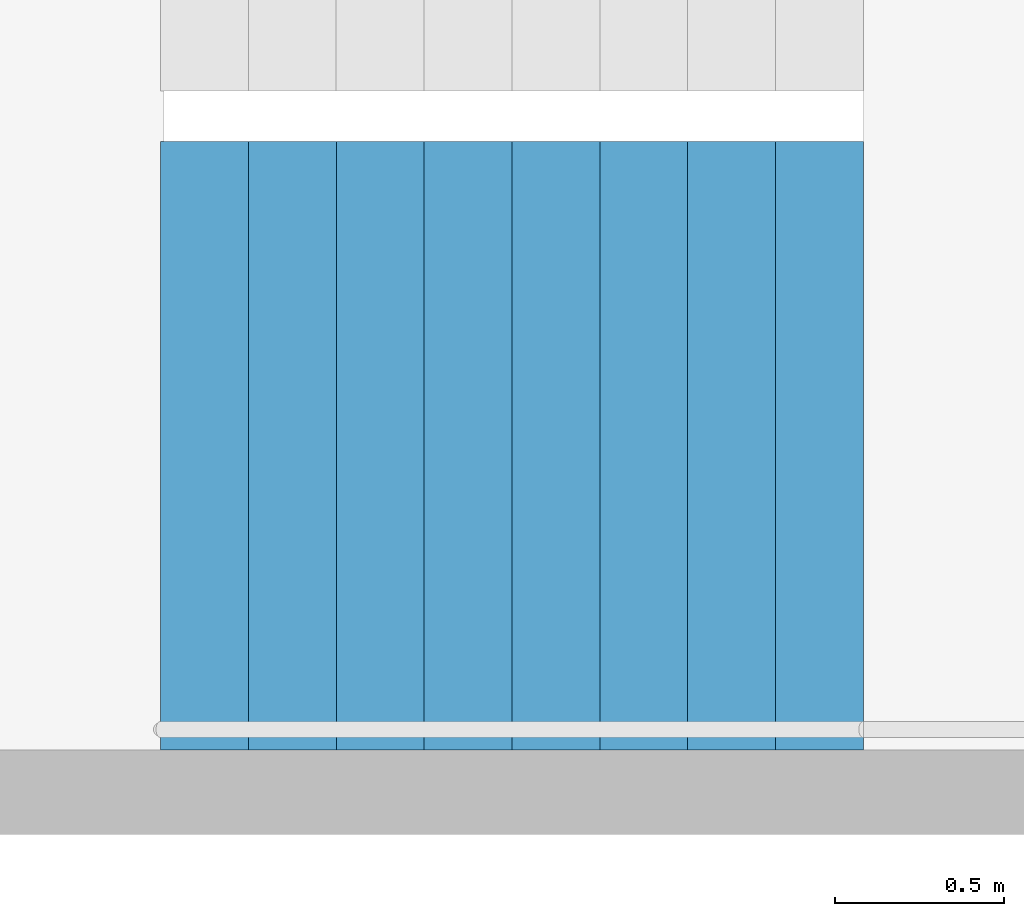
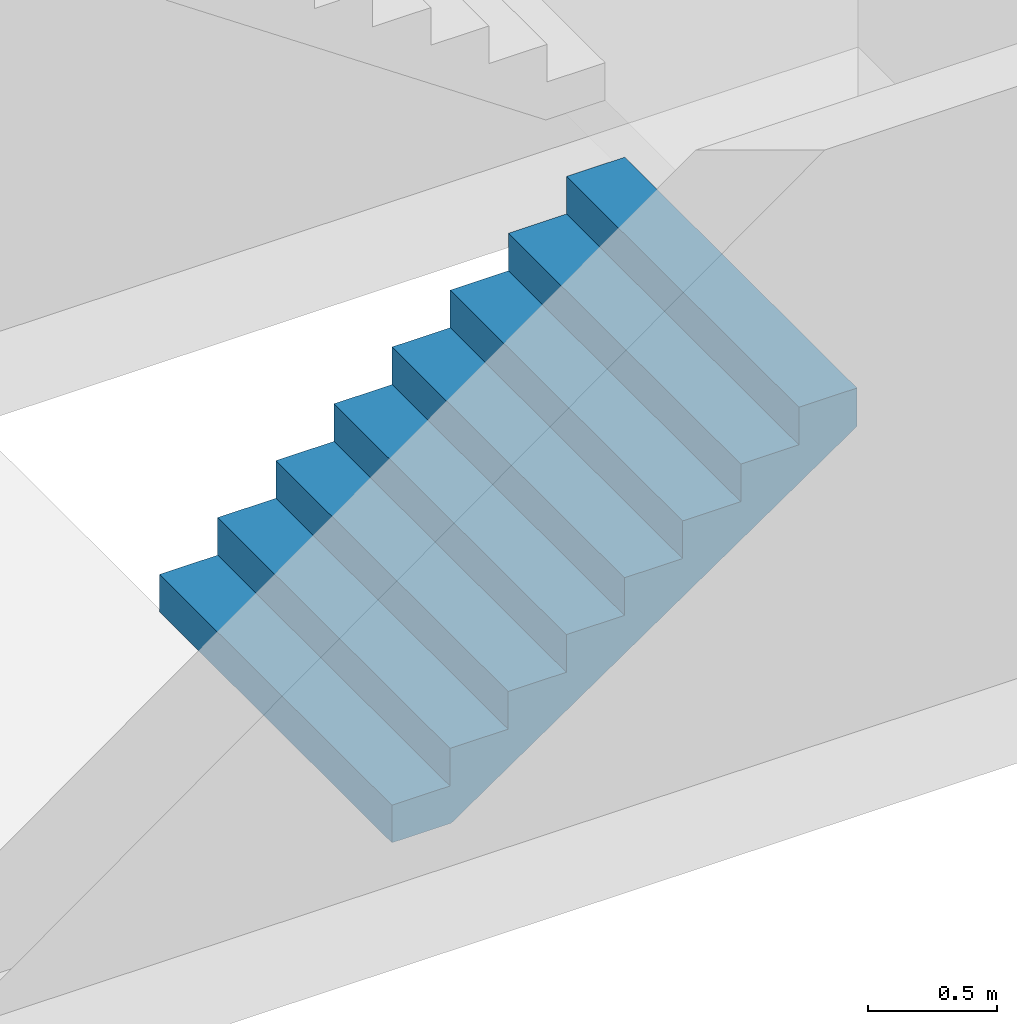
# One storey, part 22 of 34: 1 stair flight, 1 element without a shape of its own.
"""IFC4 building model written with IfcOpenShell, lengths in metres."""

from ifc_helpers import new_model, si_unit, direction, frame, origin, place, context, subcontext, project, spatial, triangles, material, type_object, element, aggregate, save


model = new_model("IFC4")

# Units and contexts
model_context = context("Model", 3, precision=1e-05, world=origin(), true_north=direction((0.0, 1.0)))
body_context = subcontext(model_context, "Body", "Model", "MODEL_VIEW")
ifc_project = project(units=[si_unit("LENGTHUNIT", "METRE"), si_unit("AREAUNIT", "SQUARE_METRE"), si_unit("VOLUMEUNIT", "CUBIC_METRE"), si_unit("PLANEANGLEUNIT", "RADIAN"), si_unit("MASSUNIT", "GRAM", prefix="KILO")], contexts=[model_context])

# Site, building, storey
site_placement = place(None, origin())
site = spatial("IfcSite", under=ifc_project, at=site_placement, CompositionType="ELEMENT")
building_placement = place(site_placement, origin())
building = spatial("IfcBuilding", under=site, at=building_placement, Name="Hakoniwa Tower and Hamabe Station Hall", CompositionType="ELEMENT")
storey_placement = place(building_placement, frame((0.0, 0.0, 94.60009765625)))
storey = spatial("IfcBuildingStorey", under=building, at=storey_placement, Name="L26", CompositionType="ELEMENT", Elevation=94.60009765625)

# Stair, stair flight
ifc_material_1 = material(Name="Concrete C40", Category="concrete")
stair_type = type_object("IfcStairType", Name="ESCAPE STAIR 1800", PredefinedType="HALF_TURN_STAIR", material=ifc_material_1)
stair_placement = place(storey_placement, origin())
stair = element("IfcStair", 1, at=stair_placement, inside=storey, type_object=stair_type, Name="Escape stair ST-1 L26", PredefinedType="HALF_TURN_STAIR")
ifc_material_2 = material(Name="Concrete C40", Category="concrete")
stair_flight_type = type_object("IfcStairFlightType", Name="STAIR FLIGHT 1800", PredefinedType="STRAIGHT", material=ifc_material_2)
stair_flight_placement = place(storey_placement, frame((-24.39990234375, 4.64990234375, 0.0), z_axis=(0.0, 0.0, 1.0), x_axis=(1.0, 0.0, 0.0)))
stair_flight = element("IfcStairFlight", 2, at=stair_flight_placement, type_object=stair_flight_type, Name="ST-1 flight 1", NumberOfRisers=9, NumberOfTreads=8, PredefinedType="STRAIGHT", RiserHeight=0.177777778, TreadLength=0.26, context=body_context, shape_type="Tessellation", body=[
    triangles([(0.0, 0.89990234375, 0.0), (0.260009765625, 0.89990234375, 0.0), (0.265625, 0.89990234375, 0.0), (0.52001953125, 0.89990234375, 0.174072265625), (0.780029296875, 0.89990234375, 0.351806640625), (1.0400390625, 0.89990234375, 0.529541015625), (1.300048828125, 0.89990234375, 0.707275390625), (1.56005859375, 0.89990234375, 0.885009765625), (1.820068359375, 0.89990234375, 1.062744140625), (2.080078125, 0.89990234375, 1.24072265625), (2.080078125, 0.89990234375, 1.422119140625), (1.820068359375, 0.89990234375, 1.422119140625), (1.820068359375, 0.89990234375, 1.244384765625), (1.56005859375, 0.89990234375, 1.244384765625), (1.56005859375, 0.89990234375, 1.066650390625), (1.300048828125, 0.89990234375, 1.066650390625), (1.300048828125, 0.89990234375, 0.888916015625), (1.0400390625, 0.89990234375, 0.888916015625), (1.0400390625, 0.89990234375, 0.711181640625), (0.780029296875, 0.89990234375, 0.711181640625), (0.780029296875, 0.89990234375, 0.533447265625), (0.52001953125, 0.89990234375, 0.533447265625), (0.52001953125, 0.89990234375, 0.35546875), (0.265625, 0.89990234375, 0.35546875), (0.260009765625, 0.89990234375, 0.35546875), (0.260009765625, 0.89990234375, 0.177734375), (0.0, 0.89990234375, 0.177734375), (0.0, 0.06005859375, 0.0), (0.260009765625, 0.06005859375, 0.0), (0.265625, 0.06005859375, 0.0), (0.52001953125, 0.06005859375, 0.174072265625), (0.780029296875, 0.06005859375, 0.351806640625), (1.0400390625, 0.06005859375, 0.529541015625), (1.300048828125, 0.06005859375, 0.707275390625), (1.56005859375, 0.06005859375, 0.885009765625), (1.820068359375, 0.06005859375, 1.062744140625), (2.080078125, 0.06005859375, 1.24072265625), (2.080078125, 0.06005859375, 1.422119140625), (1.820068359375, 0.06005859375, 1.422119140625), (1.820068359375, 0.06005859375, 1.244384765625), (1.56005859375, 0.06005859375, 1.244384765625), (1.56005859375, 0.06005859375, 1.066650390625), (1.300048828125, 0.06005859375, 1.066650390625), (1.300048828125, 0.06005859375, 0.888916015625), (1.0400390625, 0.06005859375, 0.888916015625), (1.0400390625, 0.06005859375, 0.711181640625), (0.780029296875, 0.06005859375, 0.711181640625), (0.780029296875, 0.06005859375, 0.533447265625), (0.52001953125, 0.06005859375, 0.533447265625), (0.52001953125, 0.06005859375, 0.35546875), (0.265625, 0.06005859375, 0.35546875), (0.260009765625, 0.06005859375, 0.35546875), (0.260009765625, 0.06005859375, 0.177734375), (0.0, 0.06005859375, 0.177734375), (0.0, 0.04296875, 0.0), (0.260009765625, 0.04296875, 0.0), (0.265625, 0.04296875, 0.0), (0.52001953125, 0.04296875, 0.174072265625), (0.780029296875, 0.04296875, 0.351806640625), (1.0400390625, 0.04296875, 0.529541015625), (1.300048828125, 0.04296875, 0.707275390625), (1.56005859375, 0.04296875, 0.885009765625), (1.820068359375, 0.04296875, 1.062744140625), (2.080078125, 0.04296875, 1.24072265625), (2.080078125, 0.04296875, 1.422119140625), (1.820068359375, 0.04296875, 1.422119140625), (1.820068359375, 0.04296875, 1.244384765625), (1.56005859375, 0.04296875, 1.244384765625), (1.56005859375, 0.04296875, 1.066650390625), (1.300048828125, 0.04296875, 1.066650390625), (1.300048828125, 0.04296875, 0.888916015625), (1.0400390625, 0.04296875, 0.888916015625), (1.0400390625, 0.04296875, 0.711181640625), (0.780029296875, 0.04296875, 0.711181640625), (0.780029296875, 0.04296875, 0.533447265625), (0.52001953125, 0.04296875, 0.533447265625), (0.52001953125, 0.04296875, 0.35546875), (0.265625, 0.04296875, 0.35546875), (0.260009765625, 0.04296875, 0.35546875), (0.260009765625, 0.04296875, 0.177734375), (0.0, 0.04296875, 0.177734375), (0.0, 0.025634765625, 0.0), (0.260009765625, 0.025634765625, 0.0), (0.265625, 0.025634765625, 0.0), (0.52001953125, 0.025634765625, 0.174072265625), (0.780029296875, 0.025634765625, 0.351806640625), (1.0400390625, 0.025634765625, 0.529541015625), (1.300048828125, 0.025634765625, 0.707275390625), (1.56005859375, 0.025634765625, 0.885009765625), (1.820068359375, 0.025634765625, 1.062744140625), (2.080078125, 0.025634765625, 1.24072265625), (2.080078125, 0.025634765625, 1.422119140625), (1.820068359375, 0.025634765625, 1.422119140625), (1.820068359375, 0.025634765625, 1.244384765625), (1.56005859375, 0.025634765625, 1.244384765625), (1.56005859375, 0.025634765625, 1.066650390625), (1.300048828125, 0.025634765625, 1.066650390625), (1.300048828125, 0.025634765625, 0.888916015625), (1.0400390625, 0.025634765625, 0.888916015625), (1.0400390625, 0.025634765625, 0.711181640625), (0.780029296875, 0.025634765625, 0.711181640625), (0.780029296875, 0.025634765625, 0.533447265625), (0.52001953125, 0.025634765625, 0.533447265625), (0.52001953125, 0.025634765625, 0.35546875), (0.265625, 0.025634765625, 0.35546875), (0.260009765625, 0.025634765625, 0.35546875), (0.260009765625, 0.025634765625, 0.177734375), (0.0, 0.025634765625, 0.177734375), (0.0, 0.008544921875, 0.0), (0.260009765625, 0.008544921875, 0.0), (0.265625, 0.008544921875, 0.0), (0.52001953125, 0.008544921875, 0.174072265625), (0.780029296875, 0.008544921875, 0.351806640625), (1.0400390625, 0.008544921875, 0.529541015625), (1.300048828125, 0.008544921875, 0.707275390625), (1.56005859375, 0.008544921875, 0.885009765625), (1.820068359375, 0.008544921875, 1.062744140625), (2.080078125, 0.008544921875, 1.24072265625), (2.080078125, 0.008544921875, 1.422119140625), (1.820068359375, 0.008544921875, 1.422119140625), (1.820068359375, 0.008544921875, 1.244384765625), (1.56005859375, 0.008544921875, 1.244384765625), (1.56005859375, 0.008544921875, 1.066650390625), (1.300048828125, 0.008544921875, 1.066650390625), (1.300048828125, 0.008544921875, 0.888916015625), (1.0400390625, 0.008544921875, 0.888916015625), (1.0400390625, 0.008544921875, 0.711181640625), (0.780029296875, 0.008544921875, 0.711181640625), (0.780029296875, 0.008544921875, 0.533447265625), (0.52001953125, 0.008544921875, 0.533447265625), (0.52001953125, 0.008544921875, 0.35546875), (0.265625, 0.008544921875, 0.35546875), (0.260009765625, 0.008544921875, 0.35546875), (0.260009765625, 0.008544921875, 0.177734375), (0.0, 0.008544921875, 0.177734375), (0.0, -0.008544921875, 0.0), (0.260009765625, -0.008544921875, 0.0), (0.265625, -0.008544921875, 0.0), (0.52001953125, -0.008544921875, 0.174072265625), (0.780029296875, -0.008544921875, 0.351806640625), (1.0400390625, -0.008544921875, 0.529541015625), (1.300048828125, -0.008544921875, 0.707275390625), (1.56005859375, -0.008544921875, 0.885009765625), (1.820068359375, -0.008544921875, 1.062744140625), (2.080078125, -0.008544921875, 1.24072265625), (2.080078125, -0.008544921875, 1.422119140625), (1.820068359375, -0.008544921875, 1.422119140625), (1.820068359375, -0.008544921875, 1.244384765625), (1.56005859375, -0.008544921875, 1.244384765625), (1.56005859375, -0.008544921875, 1.066650390625), (1.300048828125, -0.008544921875, 1.066650390625), (1.300048828125, -0.008544921875, 0.888916015625), (1.0400390625, -0.008544921875, 0.888916015625), (1.0400390625, -0.008544921875, 0.711181640625), (0.780029296875, -0.008544921875, 0.711181640625), (0.780029296875, -0.008544921875, 0.533447265625), (0.52001953125, -0.008544921875, 0.533447265625), (0.52001953125, -0.008544921875, 0.35546875), (0.265625, -0.008544921875, 0.35546875), (0.260009765625, -0.008544921875, 0.35546875), (0.260009765625, -0.008544921875, 0.177734375), (0.0, -0.008544921875, 0.177734375), (0.0, -0.025634765625, 0.0), (0.260009765625, -0.025634765625, 0.0), (0.265625, -0.025634765625, 0.0), (0.52001953125, -0.025634765625, 0.174072265625), (0.780029296875, -0.025634765625, 0.351806640625), (1.0400390625, -0.025634765625, 0.529541015625), (1.300048828125, -0.025634765625, 0.707275390625), (1.56005859375, -0.025634765625, 0.885009765625), (1.820068359375, -0.025634765625, 1.062744140625), (2.080078125, -0.025634765625, 1.24072265625), (2.080078125, -0.025634765625, 1.422119140625), (1.820068359375, -0.025634765625, 1.422119140625), (1.820068359375, -0.025634765625, 1.244384765625), (1.56005859375, -0.025634765625, 1.244384765625), (1.56005859375, -0.025634765625, 1.066650390625), (1.300048828125, -0.025634765625, 1.066650390625), (1.300048828125, -0.025634765625, 0.888916015625), (1.0400390625, -0.025634765625, 0.888916015625), (1.0400390625, -0.025634765625, 0.711181640625), (0.780029296875, -0.025634765625, 0.711181640625), (0.780029296875, -0.025634765625, 0.533447265625), (0.52001953125, -0.025634765625, 0.533447265625), (0.52001953125, -0.025634765625, 0.35546875), (0.265625, -0.025634765625, 0.35546875), (0.260009765625, -0.025634765625, 0.35546875), (0.260009765625, -0.025634765625, 0.177734375), (0.0, -0.025634765625, 0.177734375), (0.0, -0.04296875, 0.0), (0.260009765625, -0.04296875, 0.0), (0.265625, -0.04296875, 0.0), (0.52001953125, -0.04296875, 0.174072265625), (0.780029296875, -0.04296875, 0.351806640625), (1.0400390625, -0.04296875, 0.529541015625), (1.300048828125, -0.04296875, 0.707275390625), (1.56005859375, -0.04296875, 0.885009765625), (1.820068359375, -0.04296875, 1.062744140625), (2.080078125, -0.04296875, 1.24072265625), (2.080078125, -0.04296875, 1.422119140625), (1.820068359375, -0.04296875, 1.422119140625), (1.820068359375, -0.04296875, 1.244384765625), (1.56005859375, -0.04296875, 1.244384765625), (1.56005859375, -0.04296875, 1.066650390625), (1.300048828125, -0.04296875, 1.066650390625), (1.300048828125, -0.04296875, 0.888916015625), (1.0400390625, -0.04296875, 0.888916015625), (1.0400390625, -0.04296875, 0.711181640625), (0.780029296875, -0.04296875, 0.711181640625), (0.780029296875, -0.04296875, 0.533447265625), (0.52001953125, -0.04296875, 0.533447265625), (0.52001953125, -0.04296875, 0.35546875), (0.265625, -0.04296875, 0.35546875), (0.260009765625, -0.04296875, 0.35546875), (0.260009765625, -0.04296875, 0.177734375), (0.0, -0.04296875, 0.177734375), (0.0, -0.06005859375, 0.0), (0.260009765625, -0.06005859375, 0.0), (0.265625, -0.06005859375, 0.0), (0.52001953125, -0.06005859375, 0.174072265625), (0.780029296875, -0.06005859375, 0.351806640625), (1.0400390625, -0.06005859375, 0.529541015625), (1.300048828125, -0.06005859375, 0.707275390625), (1.56005859375, -0.06005859375, 0.885009765625), (1.820068359375, -0.06005859375, 1.062744140625), (2.080078125, -0.06005859375, 1.24072265625), (2.080078125, -0.06005859375, 1.422119140625), (1.820068359375, -0.06005859375, 1.422119140625), (1.820068359375, -0.06005859375, 1.244384765625), (1.56005859375, -0.06005859375, 1.244384765625), (1.56005859375, -0.06005859375, 1.066650390625), (1.300048828125, -0.06005859375, 1.066650390625), (1.300048828125, -0.06005859375, 0.888916015625), (1.0400390625, -0.06005859375, 0.888916015625), (1.0400390625, -0.06005859375, 0.711181640625), (0.780029296875, -0.06005859375, 0.711181640625), (0.780029296875, -0.06005859375, 0.533447265625), (0.52001953125, -0.06005859375, 0.533447265625), (0.52001953125, -0.06005859375, 0.35546875), (0.265625, -0.06005859375, 0.35546875), (0.260009765625, -0.06005859375, 0.35546875), (0.260009765625, -0.06005859375, 0.177734375), (0.0, -0.06005859375, 0.177734375), (0.0, -0.89990234375, 0.0), (0.260009765625, -0.89990234375, 0.0), (0.265625, -0.89990234375, 0.0), (0.52001953125, -0.89990234375, 0.174072265625), (0.780029296875, -0.89990234375, 0.351806640625), (1.0400390625, -0.89990234375, 0.529541015625), (1.300048828125, -0.89990234375, 0.707275390625), (1.56005859375, -0.89990234375, 0.885009765625), (1.820068359375, -0.89990234375, 1.062744140625), (2.080078125, -0.89990234375, 1.24072265625), (2.080078125, -0.89990234375, 1.422119140625), (1.820068359375, -0.89990234375, 1.422119140625), (1.820068359375, -0.89990234375, 1.244384765625), (1.56005859375, -0.89990234375, 1.244384765625), (1.56005859375, -0.89990234375, 1.066650390625), (1.300048828125, -0.89990234375, 1.066650390625), (1.300048828125, -0.89990234375, 0.888916015625), (1.0400390625, -0.89990234375, 0.888916015625), (1.0400390625, -0.89990234375, 0.711181640625), (0.780029296875, -0.89990234375, 0.711181640625), (0.780029296875, -0.89990234375, 0.533447265625), (0.52001953125, -0.89990234375, 0.533447265625), (0.52001953125, -0.89990234375, 0.35546875), (0.265625, -0.89990234375, 0.35546875), (0.260009765625, -0.89990234375, 0.35546875), (0.260009765625, -0.89990234375, 0.177734375), (0.0, -0.89990234375, 0.177734375)], [[2, 27, 26], [245, 269, 270], [2, 1, 27], [245, 270, 244], [3, 25, 24], [246, 267, 268], [3, 26, 25], [246, 268, 269], [3, 2, 26], [246, 269, 245], [4, 24, 23], [247, 266, 267], [4, 3, 24], [247, 267, 246], [5, 22, 21], [248, 264, 265], [5, 23, 22], [248, 265, 266], [5, 4, 23], [248, 266, 247], [6, 20, 19], [249, 262, 263], [6, 21, 20], [249, 263, 264], [6, 5, 21], [249, 264, 248], [7, 18, 17], [250, 260, 261], [7, 19, 18], [250, 261, 262], [7, 6, 19], [250, 262, 249], [8, 16, 15], [251, 258, 259], [8, 17, 16], [251, 259, 260], [8, 7, 17], [251, 260, 250], [9, 14, 13], [252, 256, 257], [9, 15, 14], [252, 257, 258], [9, 8, 15], [252, 258, 251], [10, 12, 11], [253, 254, 255], [10, 13, 12], [253, 255, 256], [10, 9, 13], [253, 256, 252], [1, 2, 29], [1, 29, 28], [28, 29, 56], [28, 56, 55], [55, 56, 83], [55, 83, 82], [82, 83, 110], [82, 110, 109], [109, 110, 137], [109, 137, 136], [136, 137, 164], [136, 164, 163], [163, 164, 191], [163, 191, 190], [190, 191, 218], [190, 218, 217], [217, 218, 245], [217, 245, 244], [2, 3, 30], [2, 30, 29], [29, 30, 57], [29, 57, 56], [56, 57, 84], [56, 84, 83], [83, 84, 111], [83, 111, 110], [110, 111, 138], [110, 138, 137], [137, 138, 165], [137, 165, 164], [164, 165, 192], [164, 192, 191], [191, 192, 219], [191, 219, 218], [218, 219, 246], [218, 246, 245], [3, 4, 31], [3, 31, 30], [30, 31, 58], [30, 58, 57], [57, 58, 85], [57, 85, 84], [84, 85, 112], [84, 112, 111], [111, 112, 139], [111, 139, 138], [138, 139, 166], [138, 166, 165], [165, 166, 193], [165, 193, 192], [192, 193, 220], [192, 220, 219], [219, 220, 247], [219, 247, 246], [4, 5, 32], [4, 32, 31], [31, 32, 59], [31, 59, 58], [58, 59, 86], [58, 86, 85], [85, 86, 113], [85, 113, 112], [112, 113, 140], [112, 140, 139], [139, 140, 167], [139, 167, 166], [166, 167, 194], [166, 194, 193], [193, 194, 221], [193, 221, 220], [220, 221, 248], [220, 248, 247], [5, 6, 33], [5, 33, 32], [32, 33, 60], [32, 60, 59], [59, 60, 87], [59, 87, 86], [86, 87, 114], [86, 114, 113], [113, 114, 141], [113, 141, 140], [140, 141, 168], [140, 168, 167], [167, 168, 195], [167, 195, 194], [194, 195, 222], [194, 222, 221], [221, 222, 249], [221, 249, 248], [6, 7, 34], [6, 34, 33], [33, 34, 61], [33, 61, 60], [60, 61, 88], [60, 88, 87], [87, 88, 115], [87, 115, 114], [114, 115, 142], [114, 142, 141], [141, 142, 169], [141, 169, 168], [168, 169, 196], [168, 196, 195], [195, 196, 223], [195, 223, 222], [222, 223, 250], [222, 250, 249], [7, 8, 35], [7, 35, 34], [34, 35, 62], [34, 62, 61], [61, 62, 89], [61, 89, 88], [88, 89, 116], [88, 116, 115], [115, 116, 143], [115, 143, 142], [142, 143, 170], [142, 170, 169], [169, 170, 197], [169, 197, 196], [196, 197, 224], [196, 224, 223], [223, 224, 251], [223, 251, 250], [8, 9, 36], [8, 36, 35], [35, 36, 63], [35, 63, 62], [62, 63, 90], [62, 90, 89], [89, 90, 117], [89, 117, 116], [116, 117, 144], [116, 144, 143], [143, 144, 171], [143, 171, 170], [170, 171, 198], [170, 198, 197], [197, 198, 225], [197, 225, 224], [224, 225, 252], [224, 252, 251], [9, 10, 37], [9, 37, 36], [36, 37, 64], [36, 64, 63], [63, 64, 91], [63, 91, 90], [90, 91, 118], [90, 118, 117], [117, 118, 145], [117, 145, 144], [144, 145, 172], [144, 172, 171], [171, 172, 199], [171, 199, 198], [198, 199, 226], [198, 226, 225], [225, 226, 253], [225, 253, 252], [10, 11, 38], [10, 38, 37], [37, 38, 65], [37, 65, 64], [64, 65, 92], [64, 92, 91], [91, 92, 119], [91, 119, 118], [118, 119, 146], [118, 146, 145], [145, 146, 173], [145, 173, 172], [172, 173, 200], [172, 200, 199], [199, 200, 227], [199, 227, 226], [226, 227, 254], [226, 254, 253], [11, 12, 39], [11, 39, 38], [38, 39, 66], [38, 66, 65], [65, 66, 93], [65, 93, 92], [92, 93, 120], [92, 120, 119], [119, 120, 147], [119, 147, 146], [146, 147, 174], [146, 174, 173], [173, 174, 201], [173, 201, 200], [200, 201, 228], [200, 228, 227], [227, 228, 255], [227, 255, 254], [12, 13, 40], [12, 40, 39], [39, 40, 67], [39, 67, 66], [66, 67, 94], [66, 94, 93], [93, 94, 121], [93, 121, 120], [120, 121, 148], [120, 148, 147], [147, 148, 175], [147, 175, 174], [174, 175, 202], [174, 202, 201], [201, 202, 229], [201, 229, 228], [228, 229, 256], [228, 256, 255], [13, 14, 41], [13, 41, 40], [40, 41, 68], [40, 68, 67], [67, 68, 95], [67, 95, 94], [94, 95, 122], [94, 122, 121], [121, 122, 149], [121, 149, 148], [148, 149, 176], [148, 176, 175], [175, 176, 203], [175, 203, 202], [202, 203, 230], [202, 230, 229], [229, 230, 257], [229, 257, 256], [14, 15, 42], [14, 42, 41], [41, 42, 69], [41, 69, 68], [68, 69, 96], [68, 96, 95], [95, 96, 123], [95, 123, 122], [122, 123, 150], [122, 150, 149], [149, 150, 177], [149, 177, 176], [176, 177, 204], [176, 204, 203], [203, 204, 231], [203, 231, 230], [230, 231, 258], [230, 258, 257], [15, 16, 43], [15, 43, 42], [42, 43, 70], [42, 70, 69], [69, 70, 97], [69, 97, 96], [96, 97, 124], [96, 124, 123], [123, 124, 151], [123, 151, 150], [150, 151, 178], [150, 178, 177], [177, 178, 205], [177, 205, 204], [204, 205, 232], [204, 232, 231], [231, 232, 259], [231, 259, 258], [16, 17, 44], [16, 44, 43], [43, 44, 71], [43, 71, 70], [70, 71, 98], [70, 98, 97], [97, 98, 125], [97, 125, 124], [124, 125, 152], [124, 152, 151], [151, 152, 179], [151, 179, 178], [178, 179, 206], [178, 206, 205], [205, 206, 233], [205, 233, 232], [232, 233, 260], [232, 260, 259], [17, 18, 45], [17, 45, 44], [44, 45, 72], [44, 72, 71], [71, 72, 99], [71, 99, 98], [98, 99, 126], [98, 126, 125], [125, 126, 153], [125, 153, 152], [152, 153, 180], [152, 180, 179], [179, 180, 207], [179, 207, 206], [206, 207, 234], [206, 234, 233], [233, 234, 261], [233, 261, 260], [18, 19, 46], [18, 46, 45], [45, 46, 73], [45, 73, 72], [72, 73, 100], [72, 100, 99], [99, 100, 127], [99, 127, 126], [126, 127, 154], [126, 154, 153], [153, 154, 181], [153, 181, 180], [180, 181, 208], [180, 208, 207], [207, 208, 235], [207, 235, 234], [234, 235, 262], [234, 262, 261], [19, 20, 47], [19, 47, 46], [46, 47, 74], [46, 74, 73], [73, 74, 101], [73, 101, 100], [100, 101, 128], [100, 128, 127], [127, 128, 155], [127, 155, 154], [154, 155, 182], [154, 182, 181], [181, 182, 209], [181, 209, 208], [208, 209, 236], [208, 236, 235], [235, 236, 263], [235, 263, 262], [20, 21, 48], [20, 48, 47], [47, 48, 75], [47, 75, 74], [74, 75, 102], [74, 102, 101], [101, 102, 129], [101, 129, 128], [128, 129, 156], [128, 156, 155], [155, 156, 183], [155, 183, 182], [182, 183, 210], [182, 210, 209], [209, 210, 237], [209, 237, 236], [236, 237, 264], [236, 264, 263], [21, 22, 49], [21, 49, 48], [48, 49, 76], [48, 76, 75], [75, 76, 103], [75, 103, 102], [102, 103, 130], [102, 130, 129], [129, 130, 157], [129, 157, 156], [156, 157, 184], [156, 184, 183], [183, 184, 211], [183, 211, 210], [210, 211, 238], [210, 238, 237], [237, 238, 265], [237, 265, 264], [22, 23, 50], [22, 50, 49], [49, 50, 77], [49, 77, 76], [76, 77, 104], [76, 104, 103], [103, 104, 131], [103, 131, 130], [130, 131, 158], [130, 158, 157], [157, 158, 185], [157, 185, 184], [184, 185, 212], [184, 212, 211], [211, 212, 239], [211, 239, 238], [238, 239, 266], [238, 266, 265], [23, 24, 51], [23, 51, 50], [50, 51, 78], [50, 78, 77], [77, 78, 105], [77, 105, 104], [104, 105, 132], [104, 132, 131], [131, 132, 159], [131, 159, 158], [158, 159, 186], [158, 186, 185], [185, 186, 213], [185, 213, 212], [212, 213, 240], [212, 240, 239], [239, 240, 267], [239, 267, 266], [24, 25, 52], [24, 52, 51], [51, 52, 79], [51, 79, 78], [78, 79, 106], [78, 106, 105], [105, 106, 133], [105, 133, 132], [132, 133, 160], [132, 160, 159], [159, 160, 187], [159, 187, 186], [186, 187, 214], [186, 214, 213], [213, 214, 241], [213, 241, 240], [240, 241, 268], [240, 268, 267], [25, 26, 53], [25, 53, 52], [52, 53, 80], [52, 80, 79], [79, 80, 107], [79, 107, 106], [106, 107, 134], [106, 134, 133], [133, 134, 161], [133, 161, 160], [160, 161, 188], [160, 188, 187], [187, 188, 215], [187, 215, 214], [214, 215, 242], [214, 242, 241], [241, 242, 269], [241, 269, 268], [26, 27, 54], [26, 54, 53], [53, 54, 81], [53, 81, 80], [80, 81, 108], [80, 108, 107], [107, 108, 135], [107, 135, 134], [134, 135, 162], [134, 162, 161], [161, 162, 189], [161, 189, 188], [188, 189, 216], [188, 216, 215], [215, 216, 243], [215, 243, 242], [242, 243, 270], [242, 270, 269], [27, 1, 28], [27, 28, 54], [54, 28, 55], [54, 55, 81], [81, 55, 82], [81, 82, 108], [108, 82, 109], [108, 109, 135], [135, 109, 136], [135, 136, 162], [162, 136, 163], [162, 163, 189], [189, 163, 190], [189, 190, 216], [216, 190, 217], [216, 217, 243], [243, 217, 244], [243, 244, 270]], closed=True),
])
aggregate(stair, [stair_flight])

save(model, "model.ifc")
